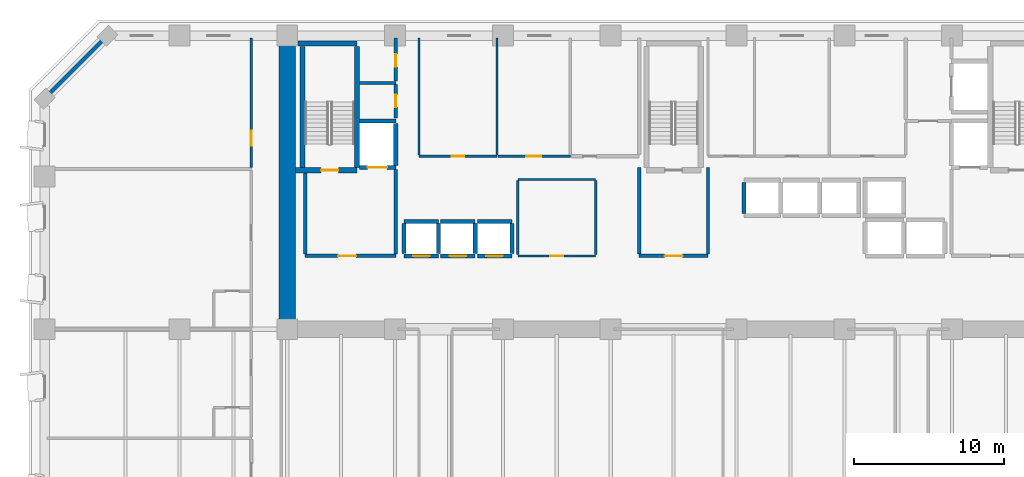
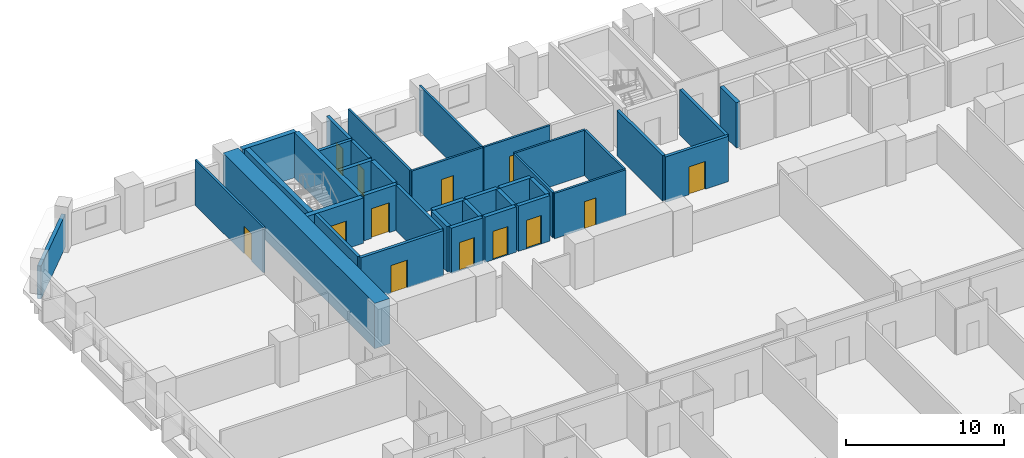
# One storey, part 7 of 15: 38 walls, 13 doors, 13 openings.
"""IFC4 building model written with IfcOpenShell, lengths in metres."""

from ifc_helpers import new_model, si_unit, direction, frame, frame_2d, origin, place, context, subcontext, project, spatial, rectangle, extrude, material, layer, layer_set, type_object, element, fill, save


model = new_model("IFC4")

# Units and contexts
model_context = context("Model", 3, precision=1e-05, world=origin(), true_north=direction((0.0, 1.0)))
body_context = subcontext(model_context, "Body", "Model", "MODEL_VIEW")
ifc_project = project(units=[si_unit("LENGTHUNIT", "METRE"), si_unit("AREAUNIT", "SQUARE_METRE"), si_unit("VOLUMEUNIT", "CUBIC_METRE"), si_unit("PLANEANGLEUNIT", "RADIAN"), si_unit("MASSUNIT", "GRAM", prefix="KILO")], contexts=[model_context])

# Site, building, storey
site_placement = place(None, origin())
site = spatial("IfcSite", under=ifc_project, at=site_placement, CompositionType="ELEMENT")
building_placement = place(site_placement, origin())
building = spatial("IfcBuilding", under=site, at=building_placement, Name="Kaelvorn Grand Hotel", CompositionType="ELEMENT")
storey_placement = place(building_placement, frame((0.0, 0.0, 68.89990234375)))
storey = spatial("IfcBuildingStorey", under=building, at=storey_placement, Name="L15", CompositionType="ELEMENT", Elevation=68.89990234375)

# Walls
ifc_material_1 = material(Name="Concrete C80/95", Category="concrete")
ifc_layer_1 = layer(ifc_material_1, 1.10009765625)
ifc_layer_set_1 = layer_set([ifc_layer_1], Name="Concrete C80/95")
wall_type_1 = type_object("IfcWallType", Name="WL-CORE-1100-C80", PredefinedType="SHEAR", material=ifc_layer_set_1)
wall_1_placement = place(storey_placement, frame((16.199951171875, 29.39990234375, 0.0), z_axis=(0.0, 0.0, 1.0), x_axis=(0.0, 1.0, 0.0)))
element("IfcWall", 1, at=wall_1_placement, inside=storey, type_object=wall_type_1, Name="L15 Rear-Core West Shear Wall", PredefinedType="SHEAR", context=body_context, shape_type="SweptSolid", body=[
    extrude(rectangle(XDim=19.2001953125, YDim=1.10009765625, at=frame_2d((9.60009765625, 0.0))), origin(), (0.0, 0.0, 1.0), 3.510009765625),
])
ifc_material_2 = material(Name="Concrete C40/50", Category="concrete")
ifc_layer_2 = layer(ifc_material_2, 0.260009765625)
ifc_layer_set_2 = layer_set([ifc_layer_2], Name="Concrete C40/50")
wall_type_2 = type_object("IfcWallType", Name="WL-EXT-260-C40", PredefinedType="SOLIDWALL", material=ifc_layer_set_2)
wall_2_placement = place(storey_placement, frame((4.199951171875, 49.0, 0.0), z_axis=(0.0, 0.0, 1.0), x_axis=(-0.707106781187, -0.707106781187, 0.0)))
element("IfcWall", 2, at=wall_2_placement, inside=storey, type_object=wall_type_2, Name="L15 Exterior Architectural Concrete Wall 06", PredefinedType="SOLIDWALL", context=body_context, shape_type="SweptSolid", body=[
    extrude(rectangle(XDim=5.939697265625, YDim=0.260009765625, at=frame_2d((2.9697265625, 0.0))), origin(), (0.0, 0.0, 1.0), 2.56005859375),
])

# Wall, opening, door
ifc_material_3 = material(Name="Acoustic Gypsum & Stud Partition")
ifc_layer_3 = layer(ifc_material_3, 0.14990234375)
ifc_layer_set_3 = layer_set([ifc_layer_3], Name="Acoustic Gypsum & Stud Partition")
wall_type_3 = type_object("IfcWallType", Name="WL-PART-150-EI60", PredefinedType="PARTITIONING", material=ifc_layer_set_3)
wall_3_placement = place(storey_placement, frame((31.60009765625, 34.300048828125, 0.0), z_axis=(0.0, 0.0, 1.0), x_axis=(1.0, 0.0, 0.0)))
wall_3 = element("IfcWall", 3, at=wall_3_placement, inside=storey, type_object=wall_type_3, Name="L15 Core Telecoms & BMS Server Room S Partition", PredefinedType="PARTITIONING", context=body_context, shape_type="SweptSolid", body=[
    extrude(rectangle(XDim=5.199951171875, YDim=0.14990234375, at=frame_2d((2.60009765625, 0.0))), origin(), (0.0, 0.0, 1.0), 3.510009765625),
])
opening_1_placement = place(wall_3_placement, frame((2.175048828125, 0.0, 0.0)))
opening_1 = element("IfcOpeningElement", 4, at=opening_1_placement, cuts=wall_3, Name="Opening DI7", PredefinedType="OPENING", context=body_context, shape_type="SweptSolid", body=[
    extrude(rectangle(XDim=0.85009765625, YDim=2.10009765625, at=frame_2d((0.425048828125, 1.050048828125))), frame((0.0, 0.0849609375, 0.0), z_axis=(0.0, -1.0, 0.0), x_axis=(1.0, 0.0, 0.0)), (0.0, 0.0, 1.0), 0.169921875),
])
ifc_material_4 = material(Name="Powder-Coated Steel Leaf", Category="steel")
door_type_1 = type_object("IfcDoorType", Name="DR-INT-RISER-850x2100", OperationType="NOTDEFINED", PredefinedType="DOOR", material=ifc_material_4)
door_1_placement = place(opening_1_placement, origin())
door_1 = element("IfcDoor", 5, at=door_1_placement, inside=storey, type_object=door_type_1, Name="L15 Core Telecoms & BMS Server Room Door", OperationType="SINGLE_SWING_LEFT", OverallHeight=2.10009765625, OverallWidth=0.85009765625, PredefinedType="DOOR", context=body_context, shape_type="SweptSolid", body=[
    extrude(rectangle(XDim=0.85009765625, YDim=2.10009765625, at=frame_2d((0.425048828125, 1.050048828125))), frame((0.0, 0.02490234375, 0.0), z_axis=(0.0, -1.0, 0.0), x_axis=(1.0, 0.0, 0.0)), (0.0, 0.0, 1.0), 0.050048828125),
])
fill(opening_1, door_1)

# Walls
wall_4_placement = place(storey_placement, frame((31.60009765625, 39.39990234375, 0.0), z_axis=(0.0, 0.0, 1.0), x_axis=(1.0, 0.0, 0.0)))
element("IfcWall", 6, at=wall_4_placement, inside=storey, type_object=wall_type_3, Name="L15 Core Telecoms & BMS Server Room N Partition", PredefinedType="PARTITIONING", context=body_context, shape_type="SweptSolid", body=[
    extrude(rectangle(XDim=5.199951171875, YDim=0.14990234375, at=frame_2d((2.60009765625, 0.0))), origin(), (0.0, 0.0, 1.0), 3.510009765625),
])
for number, where, z_axis, x_axis, name in (
    (7, (31.60009765625, 34.3798828125, 0.0), (0.0, 0.0, 1.0), (0.0, 1.0, 0.0), "L15 Core Telecoms & BMS Server Room W Partition"),
    (8, (36.800048828125, 34.3798828125, 0.0), (0.0, 0.0, 1.0), (0.0, 1.0, 0.0), "L15 Core Telecoms & BMS Server Room E Partition"),
):
    element("IfcWall", number, at=place(storey_placement, frame(where, z_axis=z_axis, x_axis=x_axis)), inside=storey, type_object=wall_type_3, Name=name, PredefinedType="PARTITIONING", context=body_context, shape_type="SweptSolid", body=[
        extrude(rectangle(XDim=4.940185546875, YDim=0.14990234375, at=frame_2d((2.47021484375, 0.0))), origin(), (0.0, 0.0, 1.0), 3.510009765625),
    ])

# Wall, opening, door
wall_5_placement = place(storey_placement, frame((25.0, 40.949951171875, 0.0), z_axis=(0.0, 0.0, 1.0), x_axis=(1.0, 0.0, 0.0)))
wall_5 = element("IfcWall", 9, at=wall_5_placement, inside=storey, type_object=wall_type_3, Name="L15 Housekeeping & Linen Room S Partition", PredefinedType="PARTITIONING", context=body_context, shape_type="SweptSolid", body=[
    extrude(rectangle(XDim=5.199951171875, YDim=0.14990234375, at=frame_2d((2.60009765625, 0.0))), origin(), (0.0, 0.0, 1.0), 3.510009765625),
])
opening_2_placement = place(wall_5_placement, frame((2.175048828125, 0.0, 0.0)))
opening_2 = element("IfcOpeningElement", 10, at=opening_2_placement, cuts=wall_5, Name="Opening DI7", PredefinedType="OPENING", context=body_context, shape_type="SweptSolid", body=[
    extrude(rectangle(XDim=0.85009765625, YDim=2.10009765625, at=frame_2d((0.425048828125, 1.050048828125))), frame((0.0, 0.0849609375, 0.0), z_axis=(0.0, -1.0, 0.0), x_axis=(1.0, 0.0, 0.0)), (0.0, 0.0, 1.0), 0.169921875),
])
door_2_placement = place(opening_2_placement, origin())
door_2 = element("IfcDoor", 11, at=door_2_placement, inside=storey, type_object=door_type_1, Name="L15 Housekeeping & Linen Room Door", OperationType="SINGLE_SWING_RIGHT", OverallHeight=2.10009765625, OverallWidth=0.85009765625, PredefinedType="DOOR", context=body_context, shape_type="SweptSolid", body=[
    extrude(rectangle(XDim=0.85009765625, YDim=2.10009765625, at=frame_2d((0.425048828125, 1.050048828125))), frame((0.0, 0.02490234375, 0.0), z_axis=(0.0, -1.0, 0.0), x_axis=(1.0, 0.0, 0.0)), (0.0, 0.0, 1.0), 0.050048828125),
])
fill(opening_2, door_2)

# Walls
for number, where, z_axis, x_axis, name in (
    (12, (25.0, 41.030029296875, 0.0), (0.0, 0.0, 1.0), (0.0, 1.0, 0.0), "L15 Housekeeping & Linen Room W Partition"),
    (13, (30.199951171875, 41.030029296875, 0.0), (0.0, 0.0, 1.0), (0.0, 1.0, 0.0), "L15 Housekeeping & Linen Room E Partition"),
):
    element("IfcWall", number, at=place(storey_placement, frame(where, z_axis=z_axis, x_axis=x_axis)), inside=storey, type_object=wall_type_3, Name=name, PredefinedType="PARTITIONING", context=body_context, shape_type="SweptSolid", body=[
        extrude(rectangle(XDim=7.820068359375, YDim=0.14990234375, at=frame_2d((3.91015625, 0.0))), origin(), (0.0, 0.0, 1.0), 3.510009765625),
    ])

# Wall, opening, door
wall_6_placement = place(storey_placement, frame((30.280029296875, 40.949951171875, 0.0), z_axis=(0.0, 0.0, 1.0), x_axis=(1.0, 0.0, 0.0)))
wall_6 = element("IfcWall", 14, at=wall_6_placement, inside=storey, type_object=wall_type_3, Name="L15 Room Service Servery Pantry S Partition", PredefinedType="PARTITIONING", context=body_context, shape_type="SweptSolid", body=[
    extrude(rectangle(XDim=4.820068359375, YDim=0.14990234375, at=frame_2d((2.41015625, 0.0))), origin(), (0.0, 0.0, 1.0), 3.510009765625),
])
opening_3_placement = place(wall_6_placement, frame((1.8701171875, 0.0, 0.0)))
opening_3 = element("IfcOpeningElement", 15, at=opening_3_placement, cuts=wall_6, Name="Opening DI3", PredefinedType="OPENING", context=body_context, shape_type="SweptSolid", body=[
    extrude(rectangle(XDim=1.0, YDim=2.14990234375, at=frame_2d((0.5, 1.074951171875))), frame((0.0, 0.0849609375, 0.0), z_axis=(0.0, -1.0, 0.0), x_axis=(1.0, 0.0, 0.0)), (0.0, 0.0, 1.0), 0.169921875),
])
ifc_material_5 = material(Name="Timber Veneer Fire Leaf", Category="wood")
door_type_2 = type_object("IfcDoorType", Name="DR-INT-GUEST-1000x2150", OperationType="NOTDEFINED", PredefinedType="DOOR", material=ifc_material_5)
door_3_placement = place(opening_3_placement, origin())
door_3 = element("IfcDoor", 16, at=door_3_placement, inside=storey, type_object=door_type_2, Name="L15 Room Service Servery Pantry Door", OperationType="SINGLE_SWING_LEFT", OverallHeight=2.14990234375, OverallWidth=1.0, PredefinedType="DOOR", context=body_context, shape_type="SweptSolid", body=[
    extrude(rectangle(XDim=1.0, YDim=2.14990234375, at=frame_2d((0.5, 1.074951171875))), frame((0.0, 0.02490234375, 0.0), z_axis=(0.0, -1.0, 0.0), x_axis=(1.0, 0.0, 0.0)), (0.0, 0.0, 1.0), 0.050048828125),
])
fill(opening_3, door_3)

wall_7_placement = place(storey_placement, frame((13.800048828125, 40.195068359375, 0.0), z_axis=(0.0, 0.0, 1.0), x_axis=(0.0, 1.0, 0.0)))
wall_7 = element("IfcWall", 17, at=wall_7_placement, inside=storey, type_object=wall_type_3, Name="L15 North-West Executive Meeting Room E Partition", PredefinedType="PARTITIONING", context=body_context, shape_type="SweptSolid", body=[
    extrude(rectangle(XDim=8.655029296875, YDim=0.14990234375, at=frame_2d((4.32763671875, 0.0))), origin(), (0.0, 0.0, 1.0), 3.510009765625),
])
opening_4_placement = place(wall_7_placement, frame((1.455078125, 0.0, 0.0)))
opening_4 = element("IfcOpeningElement", 18, at=opening_4_placement, cuts=wall_7, Name="Opening DI3", PredefinedType="OPENING", context=body_context, shape_type="SweptSolid", body=[
    extrude(rectangle(XDim=1.0, YDim=2.14990234375, at=frame_2d((0.5, 1.074951171875))), frame((0.0, 0.0849609375, 0.0), z_axis=(0.0, -1.0, 0.0), x_axis=(1.0, 0.0, 0.0)), (0.0, 0.0, 1.0), 0.169921875),
])
door_4_placement = place(opening_4_placement, origin())
door_4 = element("IfcDoor", 19, at=door_4_placement, inside=storey, type_object=door_type_2, Name="L15 North-West Executive Meeting Room Door", OperationType="SINGLE_SWING_LEFT", OverallHeight=2.14990234375, OverallWidth=1.0, PredefinedType="DOOR", context=body_context, shape_type="SweptSolid", body=[
    extrude(rectangle(XDim=1.0, YDim=2.14990234375, at=frame_2d((0.5, 1.074951171875))), frame((0.0, 0.02490234375, 0.0), z_axis=(0.0, -1.0, 0.0), x_axis=(1.0, 0.0, 0.0)), (0.0, 0.0, 1.0), 0.050048828125),
])
fill(opening_4, door_4)

ifc_layer_4 = layer(ifc_material_2, 0.219970703125)
ifc_layer_set_4 = layer_set([ifc_layer_4], Name="Concrete C40/50")
wall_type_4 = type_object("IfcWallType", Name="WL-PART-220-EI120", PredefinedType="PARTITIONING", material=ifc_layer_set_4)
wall_8_placement = place(storey_placement, frame((17.39990234375, 34.300048828125, 0.0), z_axis=(0.0, 0.0, 1.0), x_axis=(1.0, 0.0, 0.0)))
wall_8 = element("IfcWall", 20, at=wall_8_placement, inside=storey, type_object=wall_type_4, Name="L15 Firefighting Lift Lobby 1 S Partition", PredefinedType="PARTITIONING", context=body_context, shape_type="SweptSolid", body=[
    extrude(rectangle(XDim=6.050048828125, YDim=0.219970703125, at=frame_2d((3.02490234375, 0.0))), origin(), (0.0, 0.0, 1.0), 3.510009765625),
])
opening_5_placement = place(wall_8_placement, frame((2.199951171875, 0.0, 0.0)))
opening_5 = element("IfcOpeningElement", 21, at=opening_5_placement, cuts=wall_8, Name="Opening DI2", PredefinedType="OPENING", context=body_context, shape_type="SweptSolid", body=[
    extrude(rectangle(XDim=1.199951171875, YDim=2.14990234375, at=frame_2d((0.60009765625, 1.074951171875))), frame((0.0, 0.1201171875, 0.0), z_axis=(0.0, -1.0, 0.0), x_axis=(1.0, 0.0, 0.0)), (0.0, 0.0, 1.0), 0.239990234375),
])
door_type_3 = type_object("IfcDoorType", Name="DR-INT-FFLOB-1200x2150", OperationType="NOTDEFINED", PredefinedType="DOOR", material=ifc_material_5)
door_5_placement = place(opening_5_placement, origin())
door_5 = element("IfcDoor", 22, at=door_5_placement, inside=storey, type_object=door_type_3, Name="L15 Firefighting Lift Lobby 1 Door", OperationType="SINGLE_SWING_LEFT", OverallHeight=2.14990234375, OverallWidth=1.199951171875, PredefinedType="DOOR", context=body_context, shape_type="SweptSolid", body=[
    extrude(rectangle(XDim=1.199951171875, YDim=2.14990234375, at=frame_2d((0.60009765625, 1.074951171875))), frame((0.0, 0.02490234375, 0.0), z_axis=(0.0, -1.0, 0.0), x_axis=(1.0, 0.0, 0.0)), (0.0, 0.0, 1.0), 0.050048828125),
])
fill(opening_5, door_5)

# Walls
wall_9_placement = place(storey_placement, frame((17.39990234375, 34.4150390625, 0.0), z_axis=(0.0, 0.0, 1.0), x_axis=(0.0, 1.0, 0.0)))
element("IfcWall", 23, at=wall_9_placement, inside=storey, type_object=wall_type_4, Name="L15 Firefighting Lift Lobby 1 W Partition", PredefinedType="PARTITIONING", context=body_context, shape_type="SweptSolid", body=[
    extrude(rectangle(XDim=5.429931640625, YDim=0.219970703125, at=frame_2d((2.71484375, 0.0))), origin(), (0.0, 0.0, 1.0), 3.510009765625),
])
wall_10_placement = place(storey_placement, frame((23.449951171875, 34.4150390625, 0.0), z_axis=(0.0, 0.0, 1.0), x_axis=(0.0, 1.0, 0.0)))
element("IfcWall", 24, at=wall_10_placement, inside=storey, type_object=wall_type_4, Name="L15 Firefighting Lift Lobby 1 E Partition", PredefinedType="PARTITIONING", context=body_context, shape_type="SweptSolid", body=[
    extrude(rectangle(XDim=5.639892578125, YDim=0.219970703125, at=frame_2d((2.81982421875, 0.0))), origin(), (0.0, 0.0, 1.0), 3.510009765625),
])

# Wall, opening, door
wall_11_placement = place(storey_placement, frame((39.699951171875, 34.300048828125, 0.0), z_axis=(0.0, 0.0, 1.0), x_axis=(1.0, 0.0, 0.0)))
wall_11 = element("IfcWall", 25, at=wall_11_placement, inside=storey, type_object=wall_type_4, Name="L15 Central Stair Escape Vestibule S Partition", PredefinedType="PARTITIONING", context=body_context, shape_type="SweptSolid", body=[
    extrude(rectangle(XDim=4.60009765625, YDim=0.219970703125, at=frame_2d((2.300048828125, 0.0))), origin(), (0.0, 0.0, 1.0), 3.510009765625),
])
opening_6_placement = place(wall_11_placement, frame((1.699951171875, 0.0, 0.0)))
opening_6 = element("IfcOpeningElement", 26, at=opening_6_placement, cuts=wall_11, Name="Opening DI2", PredefinedType="OPENING", context=body_context, shape_type="SweptSolid", body=[
    extrude(rectangle(XDim=1.199951171875, YDim=2.14990234375, at=frame_2d((0.60009765625, 1.074951171875))), frame((0.0, 0.1201171875, 0.0), z_axis=(0.0, -1.0, 0.0), x_axis=(1.0, 0.0, 0.0)), (0.0, 0.0, 1.0), 0.239990234375),
])
door_6_placement = place(opening_6_placement, origin())
door_6 = element("IfcDoor", 27, at=door_6_placement, inside=storey, type_object=door_type_3, Name="L15 Central Stair Escape Vestibule Door", OperationType="SINGLE_SWING_LEFT", OverallHeight=2.14990234375, OverallWidth=1.199951171875, PredefinedType="DOOR", context=body_context, shape_type="SweptSolid", body=[
    extrude(rectangle(XDim=1.199951171875, YDim=2.14990234375, at=frame_2d((0.60009765625, 1.074951171875))), frame((0.0, 0.02490234375, 0.0), z_axis=(0.0, -1.0, 0.0), x_axis=(1.0, 0.0, 0.0)), (0.0, 0.0, 1.0), 0.050048828125),
])
fill(opening_6, door_6)

# Walls
for number, where, z_axis, x_axis, name in (
    (28, (39.699951171875, 34.4150390625, 0.0), (0.0, 0.0, 1.0), (0.0, 1.0, 0.0), "L15 Central Stair Escape Vestibule W Partition"),
    (29, (44.300048828125, 34.4150390625, 0.0), (0.0, 0.0, 1.0), (0.0, 1.0, 0.0), "L15 Central Stair Escape Vestibule E Partition"),
):
    element("IfcWall", number, at=place(storey_placement, frame(where, z_axis=z_axis, x_axis=x_axis)), inside=storey, type_object=wall_type_4, Name=name, PredefinedType="PARTITIONING", context=body_context, shape_type="SweptSolid", body=[
        extrude(rectangle(XDim=5.784912109375, YDim=0.219970703125, at=frame_2d((2.892578125, 0.0))), origin(), (0.0, 0.0, 1.0), 3.510009765625),
    ])
wall_12_placement = place(storey_placement, frame((21.034912109375, 45.85009765625, 0.0), z_axis=(0.0, 0.0, 1.0), x_axis=(1.0, 0.0, 0.0)))
element("IfcWall", 30, at=wall_12_placement, inside=storey, type_object=wall_type_4, Name="L15 Wet Fire & Plumbing Riser Shaft N Partition", PredefinedType="PARTITIONING", context=body_context, shape_type="SweptSolid", body=[
    extrude(rectangle(XDim=2.4150390625, YDim=0.219970703125, at=frame_2d((1.20751953125, 0.0))), origin(), (0.0, 0.0, 1.0), 3.510009765625),
])

# Wall, opening, door
wall_13_placement = place(storey_placement, frame((23.449951171875, 43.5, 0.0), z_axis=(0.0, 0.0, 1.0), x_axis=(0.0, 1.0, 0.0)))
wall_13 = element("IfcWall", 31, at=wall_13_placement, inside=storey, type_object=wall_type_4, Name="L15 Wet Fire & Plumbing Riser Shaft E Partition", PredefinedType="PARTITIONING", context=body_context, shape_type="SweptSolid", body=[
    extrude(rectangle(XDim=2.235107421875, YDim=0.219970703125, at=frame_2d((1.11767578125, 0.0))), origin(), (0.0, 0.0, 1.0), 3.510009765625),
])
opening_7_placement = place(wall_13_placement, frame((0.72509765625, 0.0, 0.0)))
opening_7 = element("IfcOpeningElement", 32, at=opening_7_placement, cuts=wall_13, Name="Opening DI7", PredefinedType="OPENING", context=body_context, shape_type="SweptSolid", body=[
    extrude(rectangle(XDim=0.85009765625, YDim=2.10009765625, at=frame_2d((0.425048828125, 1.050048828125))), frame((0.0, 0.1201171875, 0.0), z_axis=(0.0, -1.0, 0.0), x_axis=(1.0, 0.0, 0.0)), (0.0, 0.0, 1.0), 0.239990234375),
])
door_7_placement = place(opening_7_placement, origin())
door_7 = element("IfcDoor", 33, at=door_7_placement, inside=storey, type_object=door_type_1, Name="L15 Wet Fire & Plumbing Riser Shaft Door", OperationType="SINGLE_SWING_LEFT", OverallHeight=2.10009765625, OverallWidth=0.85009765625, PredefinedType="DOOR", context=body_context, shape_type="SweptSolid", body=[
    extrude(rectangle(XDim=0.85009765625, YDim=2.10009765625, at=frame_2d((0.425048828125, 1.050048828125))), frame((0.0, 0.02490234375, 0.0), z_axis=(0.0, -1.0, 0.0), x_axis=(1.0, 0.0, 0.0)), (0.0, 0.0, 1.0), 0.050048828125),
])
fill(opening_7, door_7)

wall_14_placement = place(storey_placement, frame((23.449951171875, 45.965087890625, 0.0), z_axis=(0.0, 0.0, 1.0), x_axis=(0.0, 1.0, 0.0)))
wall_14 = element("IfcWall", 34, at=wall_14_placement, inside=storey, type_object=wall_type_4, Name="L15 HV Electrical & Smoke Riser E Partition", PredefinedType="PARTITIONING", context=body_context, shape_type="SweptSolid", body=[
    extrude(rectangle(XDim=2.885009765625, YDim=0.219970703125, at=frame_2d((1.4423828125, 0.0))), origin(), (0.0, 0.0, 1.0), 3.510009765625),
])
opening_8_placement = place(wall_14_placement, frame((0.9599609375, 0.0, 0.0)))
opening_8 = element("IfcOpeningElement", 35, at=opening_8_placement, cuts=wall_14, Name="Opening DI7", PredefinedType="OPENING", context=body_context, shape_type="SweptSolid", body=[
    extrude(rectangle(XDim=0.85009765625, YDim=2.10009765625, at=frame_2d((0.425048828125, 1.050048828125))), frame((0.0, 0.1201171875, 0.0), z_axis=(0.0, -1.0, 0.0), x_axis=(1.0, 0.0, 0.0)), (0.0, 0.0, 1.0), 0.239990234375),
])
door_8_placement = place(opening_8_placement, origin())
door_8 = element("IfcDoor", 36, at=door_8_placement, inside=storey, type_object=door_type_1, Name="L15 HV Electrical & Smoke Riser Door", OperationType="SINGLE_SWING_RIGHT", OverallHeight=2.10009765625, OverallWidth=0.85009765625, PredefinedType="DOOR", context=body_context, shape_type="SweptSolid", body=[
    extrude(rectangle(XDim=0.85009765625, YDim=2.10009765625, at=frame_2d((0.425048828125, 1.050048828125))), frame((0.0, 0.02490234375, 0.0), z_axis=(0.0, -1.0, 0.0), x_axis=(1.0, 0.0, 0.0)), (0.0, 0.0, 1.0), 0.050048828125),
])
fill(opening_8, door_8)

ifc_material_6 = material(Name="Concrete C50/60", Category="concrete")
ifc_layer_5 = layer(ifc_material_6, 0.280029296875)
ifc_layer_set_5 = layer_set([ifc_layer_5], Name="Concrete C50/60")
wall_type_5 = type_object("IfcWallType", Name="WL-SHAFT-280-C50", PredefinedType="SHEAR", material=ifc_layer_set_5)
wall_15_placement = place(storey_placement, frame((24.0, 34.300048828125, 0.0), z_axis=(0.0, 0.0, 1.0), x_axis=(1.0, 0.0, 0.0)))
wall_15 = element("IfcWall", 37, at=wall_15_placement, inside=storey, type_object=wall_type_5, Name="L15 Lift PL-L1 Shaft South Wall", PredefinedType="SHEAR", context=body_context, shape_type="SweptSolid", body=[
    extrude(rectangle(XDim=2.300048828125, YDim=0.280029296875, at=frame_2d((1.14990234375, 0.0))), origin(), (0.0, 0.0, 1.0), 3.510009765625),
])
opening_9_placement = place(wall_15_placement, frame((0.60009765625, 0.0, 0.0)))
opening_9 = element("IfcOpeningElement", 38, at=opening_9_placement, cuts=wall_15, Name="Opening LD-PL-L1", PredefinedType="OPENING", context=body_context, shape_type="SweptSolid", body=[
    extrude(rectangle(XDim=1.10009765625, YDim=2.199951171875, at=frame_2d((0.550048828125, 1.10009765625))), frame((0.0, 0.14990234375, 0.0), z_axis=(0.0, -1.0, 0.0), x_axis=(1.0, 0.0, 0.0)), (0.0, 0.0, 1.0), 0.300048828125),
])
ifc_material_7 = material(Name="Stainless Steel", Category="steel")
door_type_4 = type_object("IfcDoorType", Name="DR-LIFT-PASS-1100x2200", OperationType="DOUBLE_DOOR_SLIDING", PredefinedType="DOOR", material=ifc_material_7)
door_9_placement = place(opening_9_placement, origin())
door_9 = element("IfcDoor", 39, at=door_9_placement, inside=storey, type_object=door_type_4, Name="L15 Lift PL-L1 Sliding Landing Door LD-PL-L1", OperationType="DOUBLE_DOOR_SLIDING", OverallHeight=2.199951171875, OverallWidth=1.10009765625, PredefinedType="DOOR", context=body_context, shape_type="SweptSolid", body=[
    extrude(rectangle(XDim=1.10009765625, YDim=2.199951171875, at=frame_2d((0.550048828125, 1.10009765625))), frame((0.0, 0.02490234375, 0.0), z_axis=(0.0, -1.0, 0.0), x_axis=(1.0, 0.0, 0.0)), (0.0, 0.0, 1.0), 0.050048828125),
])
fill(opening_9, door_9)

# Walls
wall_16_placement = place(storey_placement, frame((24.0, 36.60009765625, 0.0), z_axis=(0.0, 0.0, 1.0), x_axis=(1.0, 0.0, 0.0)))
element("IfcWall", 40, at=wall_16_placement, inside=storey, type_object=wall_type_5, Name="L15 Lift PL-L1 Shaft North Wall", PredefinedType="SHEAR", context=body_context, shape_type="SweptSolid", body=[
    extrude(rectangle(XDim=2.300048828125, YDim=0.280029296875, at=frame_2d((1.14990234375, 0.0))), origin(), (0.0, 0.0, 1.0), 3.510009765625),
])
for number, where, z_axis, x_axis, name in (
    (41, (24.0, 34.445068359375, 0.0), (0.0, 0.0, 1.0), (0.0, 1.0, 0.0), "L15 Lift PL-L1 Shaft West Wall"),
    (42, (26.300048828125, 34.445068359375, 0.0), (0.0, 0.0, 1.0), (0.0, 1.0, 0.0), "L15 Lift PL-L1 Shaft East Wall"),
):
    element("IfcWall", number, at=place(storey_placement, frame(where, z_axis=z_axis, x_axis=x_axis)), inside=storey, type_object=wall_type_5, Name=name, PredefinedType="SHEAR", context=body_context, shape_type="SweptSolid", body=[
        extrude(rectangle(XDim=2.010009765625, YDim=0.280029296875, at=frame_2d((1.0048828125, 0.0))), origin(), (0.0, 0.0, 1.0), 3.510009765625),
    ])

# Wall, opening, door
wall_17_placement = place(storey_placement, frame((26.449951171875, 34.300048828125, 0.0), z_axis=(0.0, 0.0, 1.0), x_axis=(1.0, 0.0, 0.0)))
wall_17 = element("IfcWall", 43, at=wall_17_placement, inside=storey, type_object=wall_type_5, Name="L15 Lift PL-L2 Shaft South Wall", PredefinedType="SHEAR", context=body_context, shape_type="SweptSolid", body=[
    extrude(rectangle(XDim=2.300048828125, YDim=0.280029296875, at=frame_2d((1.14990234375, 0.0))), origin(), (0.0, 0.0, 1.0), 3.510009765625),
])
opening_10_placement = place(wall_17_placement, frame((0.60009765625, 0.0, 0.0)))
opening_10 = element("IfcOpeningElement", 44, at=opening_10_placement, cuts=wall_17, Name="Opening LD-PL-L2", PredefinedType="OPENING", context=body_context, shape_type="SweptSolid", body=[
    extrude(rectangle(XDim=1.10009765625, YDim=2.199951171875, at=frame_2d((0.550048828125, 1.10009765625))), frame((0.0, 0.14990234375, 0.0), z_axis=(0.0, -1.0, 0.0), x_axis=(1.0, 0.0, 0.0)), (0.0, 0.0, 1.0), 0.300048828125),
])
door_10_placement = place(opening_10_placement, origin())
door_10 = element("IfcDoor", 45, at=door_10_placement, inside=storey, type_object=door_type_4, Name="L15 Lift PL-L2 Sliding Landing Door LD-PL-L2", OperationType="DOUBLE_DOOR_SLIDING", OverallHeight=2.199951171875, OverallWidth=1.10009765625, PredefinedType="DOOR", context=body_context, shape_type="SweptSolid", body=[
    extrude(rectangle(XDim=1.10009765625, YDim=2.199951171875, at=frame_2d((0.550048828125, 1.10009765625))), frame((0.0, 0.02490234375, 0.0), z_axis=(0.0, -1.0, 0.0), x_axis=(1.0, 0.0, 0.0)), (0.0, 0.0, 1.0), 0.050048828125),
])
fill(opening_10, door_10)

# Walls
wall_18_placement = place(storey_placement, frame((26.449951171875, 36.60009765625, 0.0), z_axis=(0.0, 0.0, 1.0), x_axis=(1.0, 0.0, 0.0)))
element("IfcWall", 46, at=wall_18_placement, inside=storey, type_object=wall_type_5, Name="L15 Lift PL-L2 Shaft North Wall", PredefinedType="SHEAR", context=body_context, shape_type="SweptSolid", body=[
    extrude(rectangle(XDim=2.300048828125, YDim=0.280029296875, at=frame_2d((1.14990234375, 0.0))), origin(), (0.0, 0.0, 1.0), 3.510009765625),
])
wall_19_placement = place(storey_placement, frame((28.75, 34.445068359375, 0.0), z_axis=(0.0, 0.0, 1.0), x_axis=(0.0, 1.0, 0.0)))
element("IfcWall", 47, at=wall_19_placement, inside=storey, type_object=wall_type_5, Name="L15 Lift PL-L2 Shaft East Wall", PredefinedType="SHEAR", context=body_context, shape_type="SweptSolid", body=[
    extrude(rectangle(XDim=2.010009765625, YDim=0.280029296875, at=frame_2d((1.0048828125, 0.0))), origin(), (0.0, 0.0, 1.0), 3.510009765625),
])

# Wall, opening, door
wall_20_placement = place(storey_placement, frame((28.89990234375, 34.300048828125, 0.0), z_axis=(0.0, 0.0, 1.0), x_axis=(1.0, 0.0, 0.0)))
wall_20 = element("IfcWall", 48, at=wall_20_placement, inside=storey, type_object=wall_type_5, Name="L15 Lift PL-L3 Shaft South Wall", PredefinedType="SHEAR", context=body_context, shape_type="SweptSolid", body=[
    extrude(rectangle(XDim=2.300048828125, YDim=0.280029296875, at=frame_2d((1.14990234375, 0.0))), origin(), (0.0, 0.0, 1.0), 3.510009765625),
])
opening_11_placement = place(wall_20_placement, frame((0.60009765625, 0.0, 0.0)))
opening_11 = element("IfcOpeningElement", 49, at=opening_11_placement, cuts=wall_20, Name="Opening LD-PL-L3", PredefinedType="OPENING", context=body_context, shape_type="SweptSolid", body=[
    extrude(rectangle(XDim=1.10009765625, YDim=2.199951171875, at=frame_2d((0.550048828125, 1.10009765625))), frame((0.0, 0.14990234375, 0.0), z_axis=(0.0, -1.0, 0.0), x_axis=(1.0, 0.0, 0.0)), (0.0, 0.0, 1.0), 0.300048828125),
])
door_11_placement = place(opening_11_placement, origin())
door_11 = element("IfcDoor", 50, at=door_11_placement, inside=storey, type_object=door_type_4, Name="L15 Lift PL-L3 Sliding Landing Door LD-PL-L3", OperationType="DOUBLE_DOOR_SLIDING", OverallHeight=2.199951171875, OverallWidth=1.10009765625, PredefinedType="DOOR", context=body_context, shape_type="SweptSolid", body=[
    extrude(rectangle(XDim=1.10009765625, YDim=2.199951171875, at=frame_2d((0.550048828125, 1.10009765625))), frame((0.0, 0.02490234375, 0.0), z_axis=(0.0, -1.0, 0.0), x_axis=(1.0, 0.0, 0.0)), (0.0, 0.0, 1.0), 0.050048828125),
])
fill(opening_11, door_11)

# Walls
wall_21_placement = place(storey_placement, frame((28.89990234375, 36.60009765625, 0.0), z_axis=(0.0, 0.0, 1.0), x_axis=(1.0, 0.0, 0.0)))
element("IfcWall", 51, at=wall_21_placement, inside=storey, type_object=wall_type_5, Name="L15 Lift PL-L3 Shaft North Wall", PredefinedType="SHEAR", context=body_context, shape_type="SweptSolid", body=[
    extrude(rectangle(XDim=2.300048828125, YDim=0.280029296875, at=frame_2d((1.14990234375, 0.0))), origin(), (0.0, 0.0, 1.0), 3.510009765625),
])
wall_22_placement = place(storey_placement, frame((31.199951171875, 34.445068359375, 0.0), z_axis=(0.0, 0.0, 1.0), x_axis=(0.0, 1.0, 0.0)))
element("IfcWall", 52, at=wall_22_placement, inside=storey, type_object=wall_type_5, Name="L15 Lift PL-L3 Shaft East Wall", PredefinedType="SHEAR", context=body_context, shape_type="SweptSolid", body=[
    extrude(rectangle(XDim=2.010009765625, YDim=0.280029296875, at=frame_2d((1.0048828125, 0.0))), origin(), (0.0, 0.0, 1.0), 3.510009765625),
])
wall_23_placement = place(storey_placement, frame((46.699951171875, 37.14501953125, 0.0), z_axis=(0.0, 0.0, 1.0), x_axis=(0.0, 1.0, 0.0)))
element("IfcWall", 53, at=wall_23_placement, inside=storey, type_object=wall_type_5, Name="L15 Lift SL-1 Shaft West Wall", PredefinedType="SHEAR", context=body_context, shape_type="SweptSolid", body=[
    extrude(rectangle(XDim=2.06005859375, YDim=0.280029296875, at=frame_2d((1.030029296875, 0.0))), origin(), (0.0, 0.0, 1.0), 3.510009765625),
])

# Wall, opening, door
wall_24_placement = place(storey_placement, frame((21.034912109375, 40.199951171875, 0.0), z_axis=(0.0, 0.0, 1.0), x_axis=(1.0, 0.0, 0.0)))
wall_24 = element("IfcWall", 54, at=wall_24_placement, inside=storey, type_object=wall_type_5, Name="L15 Lift FFL1 Shaft South Wall", PredefinedType="SHEAR", context=body_context, shape_type="SweptSolid", body=[
    extrude(rectangle(XDim=2.4150390625, YDim=0.280029296875, at=frame_2d((1.20751953125, 0.0))), origin(), (0.0, 0.0, 1.0), 3.510009765625),
])
opening_12_placement = place(wall_24_placement, frame((0.5400390625, 0.0, 0.0)))
opening_12 = element("IfcOpeningElement", 55, at=opening_12_placement, cuts=wall_24, Name="Opening LD-FFL1", PredefinedType="OPENING", context=body_context, shape_type="SweptSolid", body=[
    extrude(rectangle(XDim=1.300048828125, YDim=2.300048828125, at=frame_2d((0.64990234375, 1.14990234375))), frame((0.0, 0.14990234375, 0.0), z_axis=(0.0, -1.0, 0.0), x_axis=(1.0, 0.0, 0.0)), (0.0, 0.0, 1.0), 0.300048828125),
])
door_type_5 = type_object("IfcDoorType", Name="DR-LIFT-SERV-1300x2300", OperationType="DOUBLE_DOOR_SLIDING", PredefinedType="DOOR", material=ifc_material_7)
door_12_placement = place(opening_12_placement, origin())
door_12 = element("IfcDoor", 56, at=door_12_placement, inside=storey, type_object=door_type_5, Name="L15 Lift FFL1 Sliding Landing Door LD-FFL1", OperationType="DOUBLE_DOOR_SLIDING", OverallHeight=2.300048828125, OverallWidth=1.300048828125, PredefinedType="DOOR", context=body_context, shape_type="SweptSolid", body=[
    extrude(rectangle(XDim=1.300048828125, YDim=2.300048828125, at=frame_2d((0.64990234375, 1.14990234375))), frame((0.0, 0.02490234375, 0.0), z_axis=(0.0, -1.0, 0.0), x_axis=(1.0, 0.0, 0.0)), (0.0, 0.0, 1.0), 0.050048828125),
])
fill(opening_12, door_12)

# Walls
wall_25_placement = place(storey_placement, frame((21.034912109375, 43.300048828125, 0.0), z_axis=(0.0, 0.0, 1.0), x_axis=(1.0, 0.0, 0.0)))
element("IfcWall", 57, at=wall_25_placement, inside=storey, type_object=wall_type_5, Name="L15 Lift FFL1 Shaft North Wall", PredefinedType="SHEAR", context=body_context, shape_type="SweptSolid", body=[
    extrude(rectangle(XDim=2.4150390625, YDim=0.280029296875, at=frame_2d((1.20751953125, 0.0))), origin(), (0.0, 0.0, 1.0), 3.510009765625),
])
wall_26_placement = place(storey_placement, frame((23.449951171875, 40.344970703125, 0.0), z_axis=(0.0, 0.0, 1.0), x_axis=(0.0, 1.0, 0.0)))
element("IfcWall", 58, at=wall_26_placement, inside=storey, type_object=wall_type_5, Name="L15 Lift FFL1 Shaft East Wall", PredefinedType="SHEAR", context=body_context, shape_type="SweptSolid", body=[
    extrude(rectangle(XDim=2.81005859375, YDim=0.280029296875, at=frame_2d((1.405029296875, 0.0))), origin(), (0.0, 0.0, 1.0), 3.510009765625),
])

# Wall, opening, door
ifc_material_8 = material(Name="Concrete C60/75", Category="concrete")
ifc_layer_6 = layer(ifc_material_8, 0.35009765625)
ifc_layer_set_6 = layer_set([ifc_layer_6], Name="Concrete C60/75")
wall_type_6 = type_object("IfcWallType", Name="WL-SHAFT-350-C60", PredefinedType="SHEAR", material=ifc_layer_set_6)
wall_27_placement = place(storey_placement, frame((16.7548828125, 40.02490234375, 0.0), z_axis=(0.0, 0.0, 1.0), x_axis=(1.0, 0.0, 0.0)))
wall_27 = element("IfcWall", 59, at=wall_27_placement, inside=storey, type_object=wall_type_6, Name="L15 ST1 Stair Shaft South Wall", PredefinedType="SHEAR", context=body_context, shape_type="SweptSolid", body=[
    extrude(rectangle(XDim=4.10009765625, YDim=0.35009765625, at=frame_2d((2.050048828125, 0.0))), origin(), (0.0, 0.0, 1.0), 3.510009765625),
])
opening_13_placement = place(wall_27_placement, frame((1.7099609375, 0.0, 0.0)))
opening_13 = element("IfcOpeningElement", 60, at=opening_13_placement, cuts=wall_27, Name="Opening DI1", PredefinedType="OPENING", context=body_context, shape_type="SweptSolid", body=[
    extrude(rectangle(XDim=1.14990234375, YDim=2.14990234375, at=frame_2d((0.574951171875, 1.074951171875))), frame((0.0, 0.18505859375, 0.0), z_axis=(0.0, -1.0, 0.0), x_axis=(1.0, 0.0, 0.0)), (0.0, 0.0, 1.0), 0.3701171875),
])
door_type_6 = type_object("IfcDoorType", Name="DR-INT-STAIR-1150x2150", OperationType="NOTDEFINED", PredefinedType="DOOR", material=ifc_material_5)
door_13_placement = place(opening_13_placement, origin())
door_13 = element("IfcDoor", 61, at=door_13_placement, inside=storey, type_object=door_type_6, Name="L15 ST1 Exit Stair Fire Door", OperationType="SINGLE_SWING_RIGHT", OverallHeight=2.14990234375, OverallWidth=1.14990234375, PredefinedType="DOOR", context=body_context, shape_type="SweptSolid", body=[
    extrude(rectangle(XDim=1.14990234375, YDim=2.14990234375, at=frame_2d((0.574951171875, 1.074951171875))), frame((0.0, 0.02490234375, 0.0), z_axis=(0.0, -1.0, 0.0), x_axis=(1.0, 0.0, 0.0)), (0.0, 0.0, 1.0), 0.050048828125),
])
fill(opening_13, door_13)

# Walls
wall_28_placement = place(storey_placement, frame((16.905029296875, 48.47509765625, 0.0), z_axis=(0.0, 0.0, 1.0), x_axis=(1.0, 0.0, 0.0)))
element("IfcWall", 62, at=wall_28_placement, inside=storey, type_object=wall_type_6, Name="L15 ST1 Stair Shaft North Wall", PredefinedType="SHEAR", context=body_context, shape_type="SweptSolid", body=[
    extrude(rectangle(XDim=3.949951171875, YDim=0.35009765625, at=frame_2d((1.97509765625, 0.0))), origin(), (0.0, 0.0, 1.0), 3.510009765625),
])
for number, where, z_axis, x_axis, name in (
    (63, (17.22509765625, 40.205078125, 0.0), (0.0, 0.0, 1.0), (0.0, 1.0, 0.0), "L15 ST1 Stair Shaft West Wall"),
    (64, (20.85498046875, 40.205078125, 0.0), (0.0, 0.0, 1.0), (0.0, 1.0, 0.0), "L15 ST1 Stair Shaft East Wall"),
):
    element("IfcWall", number, at=place(storey_placement, frame(where, z_axis=z_axis, x_axis=x_axis)), inside=storey, type_object=wall_type_6, Name=name, PredefinedType="SHEAR", context=body_context, shape_type="SweptSolid", body=[
        extrude(rectangle(XDim=8.08984375, YDim=0.35009765625, at=frame_2d((4.044921875, 0.0))), origin(), (0.0, 0.0, 1.0), 3.510009765625),
    ])

save(model, "model.ifc")
